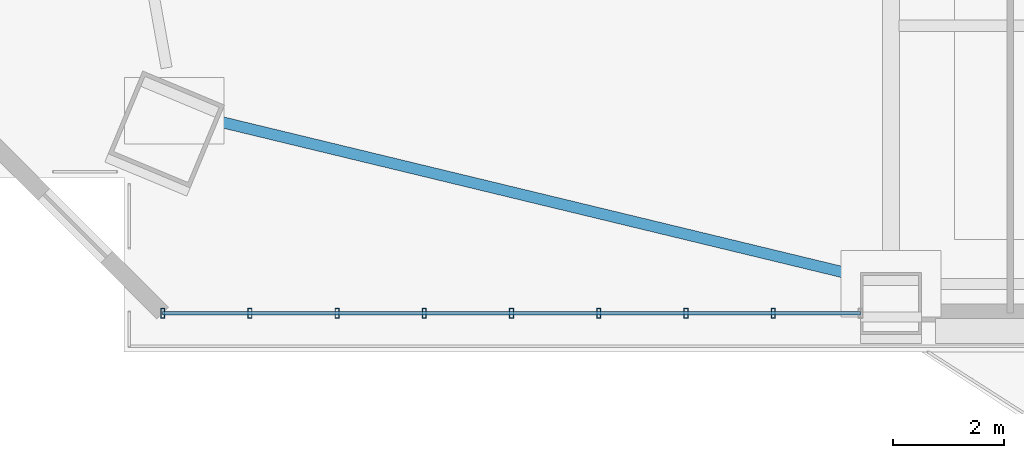
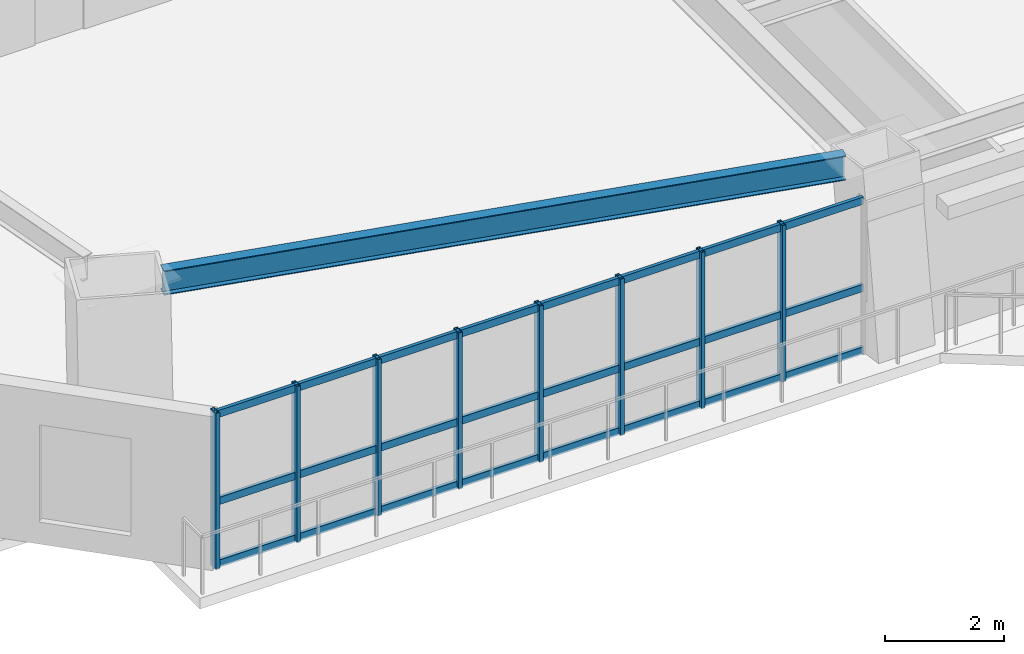
# One storey, part 2 of 17: 11 members, 1 beam, 1 element without a shape of its own.
"""IFC4 building model written with IfcOpenShell, lengths in metres."""

from ifc_helpers import new_model, si_unit, direction, frame, origin, origin_2d, place, context, subcontext, project, spatial, hollow_rectangle, i_section, extrude, source, transform, mapped, material, layer, layer_set, material_profile, profile_set, type_object, element, aggregate, save


model = new_model("IFC4")

# Units and contexts
model_context = context("Model", 3, precision=1e-05, world=origin(), true_north=direction((0.0, 1.0)))
body_context = subcontext(model_context, "Body", "Model", "MODEL_VIEW")
ifc_project = project(units=[si_unit("LENGTHUNIT", "METRE"), si_unit("AREAUNIT", "SQUARE_METRE"), si_unit("VOLUMEUNIT", "CUBIC_METRE"), si_unit("PLANEANGLEUNIT", "RADIAN"), si_unit("MASSUNIT", "GRAM", prefix="KILO")], contexts=[model_context])

# Site, building, storey
site_placement = place(None, origin())
site = spatial("IfcSite", under=ifc_project, at=site_placement, CompositionType="ELEMENT")
building_placement = place(site_placement, origin())
building = spatial("IfcBuilding", under=site, at=building_placement, Name="Giltprow Tower", CompositionType="ELEMENT")
storey_placement = place(building_placement, frame((0.0, 0.0, 57.199951171875)))
storey = spatial("IfcBuildingStorey", under=building, at=storey_placement, Name="L14", CompositionType="ELEMENT", Elevation=57.199951171875)

# Beam
ifc_material_1 = material(Name="Structural steel Q355B", Category="steel")
ifc_material_profile_1 = material_profile(ifc_material_1, i_section(OverallWidth=0.199951171875, OverallDepth=0.5, WebThickness=0.010009765625, FlangeThickness=0.01611328125, at=origin_2d()), Name="HN 500x200x10x16")
ifc_profile_set_1 = profile_set([ifc_material_profile_1], Name="Structural steel Q355B")
beam_type = type_object("IfcBeamType", Name="BM-SPAN-HN500", PredefinedType="SPANDREL", material=ifc_profile_set_1)
shared_shape_1 = source(origin(), body_context, "Body", "SweptSolid", [
    extrude(i_section(OverallWidth=0.199951171875, OverallDepth=0.5, WebThickness=0.010009765625, FlangeThickness=0.01611328125, at=origin_2d()), origin(), (0.0, 0.0, 1.0), 11.97509765625),
])
beam_placement = place(storey_placement, frame((7.68994140625, 7.820068359375, 3.429931640625), z_axis=(0.972037934248, -0.234823879497, 0.0), x_axis=(0.234823879497, 0.972037934248, 0.0)))
element("IfcBeam", 1, at=beam_placement, inside=storey, type_object=beam_type, Name="L14 Perimeter Spandrel Beam MC_SW-S1", PredefinedType="SPANDREL", context=body_context, shape_type="MappedRepresentation", body=[
    mapped(shared_shape_1, transform((0.0, 0.0, 0.0), x_axis=(1.0, 0.0, 0.0), y_axis=(0.0, 1.0, 0.0), z_axis=(0.0, 0.0, 1.0), scale=1.0)),
])

# Curtain wall, members
ifc_material_2 = material(Name="Anodized bronze", Category="metal")
ifc_layer = layer(ifc_material_2, 0.179931640625, Name="Anodized bronze")
ifc_layer_set = layer_set([ifc_layer], Name="Anodized bronze")
curtain_wall_type = type_object("IfcCurtainWallType", Name="CW-OFF-RECESSED", PredefinedType="NOTDEFINED", material=ifc_layer_set)
curtain_wall_placement = place(storey_placement, origin())
curtain_wall = element("IfcCurtainWall", 2, at=curtain_wall_placement, inside=storey, type_object=curtain_wall_type, Name="L14 South Recessed Curtain Wall 1", PredefinedType="NOTDEFINED")
ifc_material_profile_2 = material_profile(ifc_material_2, hollow_rectangle(XDim=0.074951171875, YDim=0.179931640625, WallThickness=0.008056640625, at=origin_2d()), Name="RHS 180x75x8")
ifc_profile_set_2 = profile_set([ifc_material_profile_2], Name="Anodized bronze")
member_type_1 = type_object("IfcMemberType", Name="CW-MULLION-180x75", PredefinedType="MULLION", material=ifc_profile_set_2)
shared_shape_2 = source(origin(), body_context, "Body", "SweptSolid", [
    extrude(hollow_rectangle(XDim=0.074951171875, YDim=0.179931640625, WallThickness=0.008056640625, at=origin_2d()), origin(), (0.0, 0.0, 1.0), 3.215087890625),
])
member_1_placement = place(storey_placement, frame((6.718017578125, 4.35400390625, -0.02001953125), z_axis=(0.0, 0.0, 1.0), x_axis=(1.0, 0.0, 0.0)))
member_1 = element("IfcMember", 3, at=member_1_placement, type_object=member_type_1, Name="L14 South Recessed Curtain Wall 1 Mullion 1", PredefinedType="MULLION", context=body_context, shape_type="MappedRepresentation", body=[
    mapped(shared_shape_2, transform((0.0, 0.0, 0.0), x_axis=(1.0, 0.0, 0.0), y_axis=(0.0, 1.0, 0.0), z_axis=(0.0, 0.0, 1.0), scale=1.0)),
])
member_2_placement = place(storey_placement, frame((8.291015625, 4.35400390625, -0.02001953125), z_axis=(0.0, 0.0, 1.0), x_axis=(1.0, 0.0, 0.0)))
member_2 = element("IfcMember", 4, at=member_2_placement, type_object=member_type_1, Name="L14 South Recessed Curtain Wall 1 Mullion 2", PredefinedType="MULLION", context=body_context, shape_type="MappedRepresentation", body=[
    mapped(shared_shape_2, transform((0.0, 0.0, 0.0), x_axis=(1.0, 0.0, 0.0), y_axis=(0.0, 1.0, 0.0), z_axis=(0.0, 0.0, 1.0), scale=1.0)),
])
member_3_placement = place(storey_placement, frame((9.864013671875, 4.35400390625, -0.02001953125), z_axis=(0.0, 0.0, 1.0), x_axis=(1.0, 0.0, 0.0)))
member_3 = element("IfcMember", 5, at=member_3_placement, type_object=member_type_1, Name="L14 South Recessed Curtain Wall 1 Mullion 3", PredefinedType="MULLION", context=body_context, shape_type="MappedRepresentation", body=[
    mapped(shared_shape_2, transform((0.0, 0.0, 0.0), x_axis=(1.0, 0.0, 0.0), y_axis=(0.0, 1.0, 0.0), z_axis=(0.0, 0.0, 1.0), scale=1.0)),
])
member_4_placement = place(storey_placement, frame((11.43603515625, 4.35400390625, -0.02001953125), z_axis=(0.0, 0.0, 1.0), x_axis=(1.0, 0.0, 0.0)))
member_4 = element("IfcMember", 6, at=member_4_placement, type_object=member_type_1, Name="L14 South Recessed Curtain Wall 1 Mullion 4", PredefinedType="MULLION", context=body_context, shape_type="MappedRepresentation", body=[
    mapped(shared_shape_2, transform((0.0, 0.0, 0.0), x_axis=(1.0, 0.0, 0.0), y_axis=(0.0, 1.0, 0.0), z_axis=(0.0, 0.0, 1.0), scale=1.0)),
])
member_5_placement = place(storey_placement, frame((13.009033203125, 4.35400390625, -0.02001953125), z_axis=(0.0, 0.0, 1.0), x_axis=(1.0, 0.0, 0.0)))
member_5 = element("IfcMember", 7, at=member_5_placement, type_object=member_type_1, Name="L14 South Recessed Curtain Wall 1 Mullion 5", PredefinedType="MULLION", context=body_context, shape_type="MappedRepresentation", body=[
    mapped(shared_shape_2, transform((0.0, 0.0, 0.0), x_axis=(1.0, 0.0, 0.0), y_axis=(0.0, 1.0, 0.0), z_axis=(0.0, 0.0, 1.0), scale=1.0)),
])
member_6_placement = place(storey_placement, frame((14.58203125, 4.35400390625, -0.02001953125), z_axis=(0.0, 0.0, 1.0), x_axis=(1.0, 0.0, 0.0)))
member_6 = element("IfcMember", 8, at=member_6_placement, type_object=member_type_1, Name="L14 South Recessed Curtain Wall 1 Mullion 6", PredefinedType="MULLION", context=body_context, shape_type="MappedRepresentation", body=[
    mapped(shared_shape_2, transform((0.0, 0.0, 0.0), x_axis=(1.0, 0.0, 0.0), y_axis=(0.0, 1.0, 0.0), z_axis=(0.0, 0.0, 1.0), scale=1.0)),
])
member_7_placement = place(storey_placement, frame((16.154052734375, 4.35400390625, -0.02001953125), z_axis=(0.0, 0.0, 1.0), x_axis=(1.0, 0.0, 0.0)))
member_7 = element("IfcMember", 9, at=member_7_placement, type_object=member_type_1, Name="L14 South Recessed Curtain Wall 1 Mullion 7", PredefinedType="MULLION", context=body_context, shape_type="MappedRepresentation", body=[
    mapped(shared_shape_2, transform((0.0, 0.0, 0.0), x_axis=(1.0, 0.0, 0.0), y_axis=(0.0, 1.0, 0.0), z_axis=(0.0, 0.0, 1.0), scale=1.0)),
])
member_8_placement = place(storey_placement, frame((17.72705078125, 4.35400390625, -0.02001953125), z_axis=(0.0, 0.0, 1.0), x_axis=(1.0, 0.0, 0.0)))
member_8 = element("IfcMember", 10, at=member_8_placement, type_object=member_type_1, Name="L14 South Recessed Curtain Wall 1 Mullion 8", PredefinedType="MULLION", context=body_context, shape_type="MappedRepresentation", body=[
    mapped(shared_shape_2, transform((0.0, 0.0, 0.0), x_axis=(1.0, 0.0, 0.0), y_axis=(0.0, 1.0, 0.0), z_axis=(0.0, 0.0, 1.0), scale=1.0)),
])
ifc_material_profile_3 = material_profile(ifc_material_2, hollow_rectangle(XDim=0.06494140625, YDim=0.14990234375, WallThickness=0.006103515625, at=origin_2d()), Name="RHS 150x65x6")
ifc_profile_set_3 = profile_set([ifc_material_profile_3], Name="Anodized bronze")
member_type_2 = type_object("IfcMemberType", Name="CW-TRANSOM-150x65", PredefinedType="USERDEFINED", material=ifc_profile_set_3)
shared_shape_3 = source(origin(), body_context, "Body", "SweptSolid", [
    extrude(hollow_rectangle(XDim=0.06494140625, YDim=0.14990234375, WallThickness=0.006103515625, at=origin_2d()), origin(), (0.0, 0.0, 1.0), 12.58203125),
])
member_9_placement = place(storey_placement, frame((6.718017578125, 4.35400390625, 0.0400390625), z_axis=(1.0, 0.0, 0.0), x_axis=(0.0, 1.0, 0.0)))
member_9 = element("IfcMember", 11, at=member_9_placement, type_object=member_type_2, Name="L14 South Recessed Curtain Wall 1 Transom 1", ObjectType="TRANSOM", PredefinedType="USERDEFINED", context=body_context, shape_type="MappedRepresentation", body=[
    mapped(shared_shape_3, transform((0.0, 0.0, 0.0), x_axis=(1.0, 0.0, 0.0), y_axis=(0.0, 1.0, 0.0), z_axis=(0.0, 0.0, 1.0), scale=1.0)),
])
member_10_placement = place(storey_placement, frame((6.718017578125, 4.35400390625, 1.3271484375), z_axis=(1.0, 0.0, 0.0), x_axis=(0.0, 1.0, 0.0)))
member_10 = element("IfcMember", 12, at=member_10_placement, type_object=member_type_2, Name="L14 South Recessed Curtain Wall 1 Transom 2", ObjectType="TRANSOM", PredefinedType="USERDEFINED", context=body_context, shape_type="MappedRepresentation", body=[
    mapped(shared_shape_3, transform((0.0, 0.0, 0.0), x_axis=(1.0, 0.0, 0.0), y_axis=(0.0, 1.0, 0.0), z_axis=(0.0, 0.0, 1.0), scale=1.0)),
])
member_11_placement = place(storey_placement, frame((6.718017578125, 4.35400390625, 3.1201171875), z_axis=(1.0, 0.0, 0.0), x_axis=(0.0, 1.0, 0.0)))
member_11 = element("IfcMember", 13, at=member_11_placement, type_object=member_type_2, Name="L14 South Recessed Curtain Wall 1 Transom 3", ObjectType="TRANSOM", PredefinedType="USERDEFINED", context=body_context, shape_type="MappedRepresentation", body=[
    mapped(shared_shape_3, transform((0.0, 0.0, 0.0), x_axis=(1.0, 0.0, 0.0), y_axis=(0.0, 1.0, 0.0), z_axis=(0.0, 0.0, 1.0), scale=1.0)),
])
aggregate(curtain_wall, [member_1, member_2, member_3, member_4, member_5, member_6, member_7, member_8, member_9, member_10, member_11])

save(model, "model.ifc")
